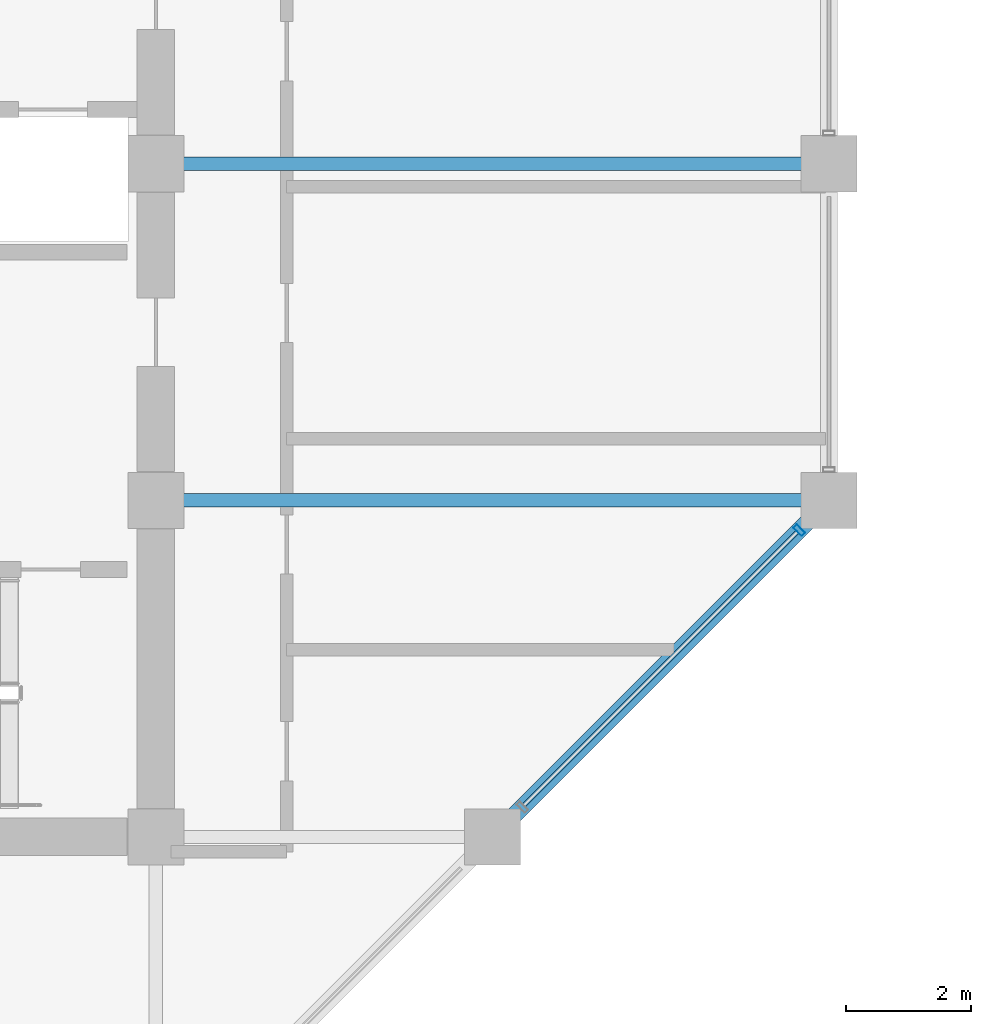
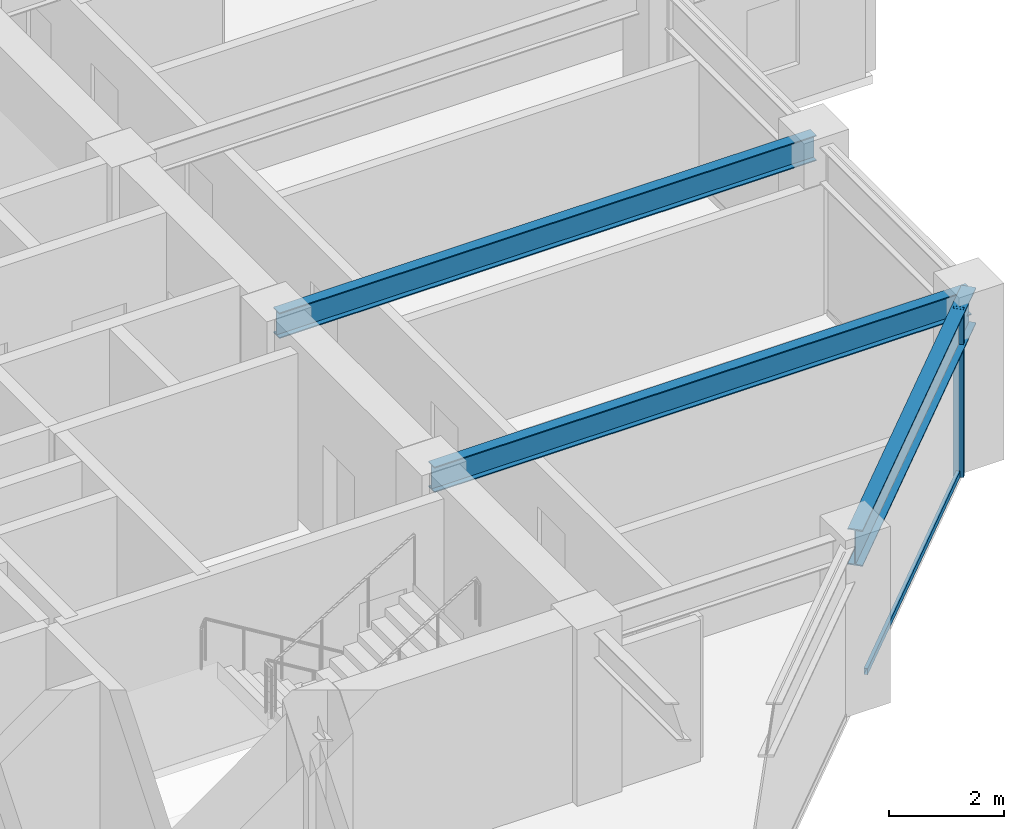
# One storey, part 10 of 28: 3 beams, 2 members, 1 element without a shape of its own.
"""IFC4 building model written with IfcOpenShell, lengths in metres."""

import ifcopenshell
import ifcopenshell.guid

model = None  # the IFC model being written
_history = None  # IfcOwnerHistory: only IFC2X3 demands one
_inside = {}  # id of a spatial element -> (the spatial element, [elements in it])
_under = {}  # id of a project, library or spatial element -> (it, [spatial elements below it])
_declared = {}  # id of a project -> (the project, [libraries it declares])
_typed = {}  # id of a type object -> (the type object, [elements of that type])
_made_of = {}  # id of a material, layer set ... -> (it, [elements and type objects made of it])


def new_model(schema):
    """Start an empty IFC model of exactly this schema.

    Asked for "IFC4X3", IfcOpenShell would pick the latest addendum, in which some entities
    have other attributes; the version numbers below select the first issue.
    IFC2X3 requires an IfcOwnerHistory on every rooted entity: one is made here for all.
    """
    global model, _history
    if schema == "IFC4X3":
        model = ifcopenshell.file(schema_version=(4, 3, 0, 0))
    else:
        model = ifcopenshell.file(schema=schema)
    _inside.clear()
    _under.clear()
    _declared.clear()
    _typed.clear()
    _made_of.clear()
    _history = None
    if model.schema == "IFC2X3":
        org = make("IfcOrganization", Name="unknown")
        user = make(
            "IfcPersonAndOrganization",
            ThePerson=make("IfcPerson", FamilyName="unknown"),
            TheOrganization=org,
        )
        app = make(
            "IfcApplication",
            ApplicationDeveloper=org,
            Version="unknown",
            ApplicationFullName="unknown",
            ApplicationIdentifier="unknown",
        )
        _history = make(
            "IfcOwnerHistory",
            OwningUser=user,
            OwningApplication=app,
            ChangeAction="ADDED",
            CreationDate=0,
        )
    return model


def make(cls, **values):
    """One entity of the class cls with the attributes given. An attribute that is None is left unset."""
    return model.create_entity(
        cls, **{name: value for name, value in values.items() if value is not None}
    )


def rooted(cls, **values):
    """An entity with a GlobalId (a new one), such as an element, a storey or a relation."""
    return make(cls, GlobalId=ifcopenshell.guid.new(), OwnerHistory=_history, **values)


def si_unit(unit_type, name, prefix=None):
    """IfcSIUnit, for example si_unit("LENGTHUNIT", "METRE", prefix="MILLI")."""
    return make("IfcSIUnit", UnitType=unit_type, Prefix=prefix, Name=name)


def assignment(units):
    """IfcUnitAssignment: the units of a project."""
    return None if units is None else make("IfcUnitAssignment", Units=units)


def point(xyz):
    """IfcCartesianPoint."""
    return None if xyz is None else make("IfcCartesianPoint", Coordinates=xyz)


def direction(xyz):
    """IfcDirection."""
    return None if xyz is None else make("IfcDirection", DirectionRatios=xyz)


def frame(location, z_axis=None, x_axis=None):
    """IfcAxis2Placement3D, a coordinate frame: its origin and axes. An axis left out is left unset."""
    return make(
        "IfcAxis2Placement3D",
        Location=point(location),
        Axis=direction(z_axis),
        RefDirection=direction(x_axis),
    )


def frame_2d(location, x_axis=None):
    """IfcAxis2Placement2D, a coordinate frame in the plane: its origin and x axis."""
    return make(
        "IfcAxis2Placement2D", Location=point(location), RefDirection=direction(x_axis)
    )


def origin():
    """The frame at (0, 0, 0) with its axes left unset."""
    return frame((0.0, 0.0, 0.0))


def origin_2d():
    """The frame at (0, 0) in the plane with its x axis left unset."""
    return frame_2d((0.0, 0.0))


def place(relative_to, where):
    """IfcLocalPlacement: puts the frame where relative to a parent placement (None: the world)."""
    return make(
        "IfcLocalPlacement", PlacementRelTo=relative_to, RelativePlacement=where
    )


def context(
    kind, dimensions, precision=None, world=None, true_north=None, identifier=None
):
    """IfcGeometricRepresentationContext, for example the 3D "Model" context."""
    return make(
        "IfcGeometricRepresentationContext",
        ContextIdentifier=identifier,
        ContextType=kind,
        CoordinateSpaceDimension=dimensions,
        Precision=precision,
        WorldCoordinateSystem=world,
        TrueNorth=true_north,
    )


def subcontext(parent, identifier, kind, view, scale=None):
    """IfcGeometricRepresentationSubContext, for example "Body" below "Model"."""
    return make(
        "IfcGeometricRepresentationSubContext",
        ContextIdentifier=identifier,
        ContextType=kind,
        ParentContext=parent,
        TargetScale=scale,
        TargetView=view,
    )


def project(units=None, contexts=None):
    """IfcProject with its units and contexts."""
    return rooted(
        "IfcProject",
        Name="project",
        RepresentationContexts=contexts,
        UnitsInContext=assignment(units),
    )


def spatial(cls, under=None, at=None, **own):
    """A site, building, storey or space (cls), placed at a placement, below another one or the project."""
    s = rooted(cls, ObjectPlacement=at, **own)
    if under is not None:
        _under.setdefault(under.id(), (under, []))[1].append(s)
    return s


def profile(cls, at=None, kind="AREA", **sizes):
    """A parametric profile (cls). Its sizes go by their IFC names, for example OverallWidth=200.0."""
    return make(cls, ProfileType=kind, Position=at, **sizes)


def hollow_rectangle(**sizes):
    """IfcRectangleHollowProfileDef."""
    return profile("IfcRectangleHollowProfileDef", **sizes)


def i_section(**sizes):
    """IfcIShapeProfileDef."""
    return profile("IfcIShapeProfileDef", **sizes)


def extrude(swept, where, along, depth):
    """IfcExtrudedAreaSolid: the profile swept, set in the frame where, extruded along a direction by depth."""
    return make(
        "IfcExtrudedAreaSolid",
        SweptArea=swept,
        Position=where,
        ExtrudedDirection=direction(along),
        Depth=depth,
    )


def shape(context_of_items, identifier, shape_type, items):
    """IfcShapeRepresentation: the items that make up one representation, for example the "Body"."""
    return make(
        "IfcShapeRepresentation",
        ContextOfItems=context_of_items,
        RepresentationIdentifier=identifier,
        RepresentationType=shape_type,
        Items=items,
    )


def material(Name=None, Category=None):
    """IfcMaterial."""
    return make("IfcMaterial", Name=Name, Category=Category)


def layer(
    of_material, thickness, ventilated=None, Name=None, Category=None, Priority=None
):
    """IfcMaterialLayer: one layer of a wall or slab, of a material (None: an air gap)."""
    return make(
        "IfcMaterialLayer",
        Material=of_material,
        LayerThickness=thickness,
        IsVentilated=ventilated,
        Name=Name,
        Category=Category,
        Priority=Priority,
    )


def layer_set(layers, Name=None):
    """IfcMaterialLayerSet."""
    return make("IfcMaterialLayerSet", MaterialLayers=layers, LayerSetName=Name)


def material_profile(
    of_material, cross_section, Name=None, Category=None, Priority=None
):
    """IfcMaterialProfile: a cross section and its material."""
    return make(
        "IfcMaterialProfile",
        Name=Name,
        Material=of_material,
        Profile=cross_section,
        Priority=Priority,
        Category=Category,
    )


def profile_set(profiles, Name=None, composite=None):
    """IfcMaterialProfileSet."""
    return make(
        "IfcMaterialProfileSet",
        Name=Name,
        MaterialProfiles=profiles,
        CompositeProfile=composite,
    )


def made_of(thing, what):
    """Note that an element or type object is made of a material, layer set ...; save() writes the relation."""
    if what is not None:
        _made_of.setdefault(what.id(), (what, []))[1].append(thing)
    return thing


def type_object(cls, material=None, **own):
    """A type object (cls), such as IfcWallType, which elements share."""
    return made_of(rooted(cls, **own), material)


def element(
    cls,
    number,
    at=None,
    inside=None,
    cuts=None,
    type_object=None,
    material=None,
    context=None,
    identifier="Body",
    shape_type=None,
    held_by="IfcProductDefinitionShape",
    body=None,
    shapes=None,
    **own,
):
    """One element of the class cls, such as IfcWall. Its Tag is "e" and its number.

    at: its placement. inside: the storey or other place that contains it. cuts: it is an
    opening in that element (IfcRelVoidsElement). A single representation is given by context,
    identifier, shape_type and body (its items); several are given by shapes. held_by: the class
    of the entity that holds the representations. save() writes the other relations.
    """
    e = rooted(cls, Tag="e%d" % number, ObjectPlacement=at, **own)
    if body is not None:
        shapes = [shape(context, identifier, shape_type, body)]
    if shapes is not None:
        e.Representation = make(held_by, Representations=shapes)
    if inside is not None:
        _inside.setdefault(inside.id(), (inside, []))[1].append(e)
    if cuts is not None:
        rooted(
            "IfcRelVoidsElement", RelatingBuildingElement=cuts, RelatedOpeningElement=e
        )
    if type_object is not None:
        _typed.setdefault(type_object.id(), (type_object, []))[1].append(e)
    return made_of(e, material)


def aggregate(whole, parts):
    """IfcRelAggregates: a whole, such as a stair, and the parts it consists of."""
    return rooted("IfcRelAggregates", RelatingObject=whole, RelatedObjects=parts)


def save(model, path):
    """Write the relations noted so far, then the file.

    IfcRelAggregates (storeys below a building ...), IfcRelContainedInSpatialStructure (elements
    in a storey), IfcRelDefinesByType, IfcRelAssociatesMaterial and IfcRelDeclares: one each for
    every whole, place, type object, material and project.
    """
    for whole, parts in _under.values():
        aggregate(whole, parts)
    for where, things in _inside.values():
        rooted(
            "IfcRelContainedInSpatialStructure",
            RelatedElements=things,
            RelatingStructure=where,
        )
    for kind, things in _typed.values():
        rooted("IfcRelDefinesByType", RelatedObjects=things, RelatingType=kind)
    for what, things in _made_of.values():
        rooted("IfcRelAssociatesMaterial", RelatedObjects=things, RelatingMaterial=what)
    for by, libraries in _declared.values():
        rooted("IfcRelDeclares", RelatingContext=by, RelatedDefinitions=libraries)
    model.write(path)


model = new_model("IFC4")

# Units and contexts
model_context = context("Model", 3, precision=1e-05, world=origin(), true_north=direction((0.0, 1.0)))
body_context = subcontext(model_context, "Body", "Model", "MODEL_VIEW")
ifc_project = project(units=[si_unit("LENGTHUNIT", "METRE"), si_unit("AREAUNIT", "SQUARE_METRE"), si_unit("VOLUMEUNIT", "CUBIC_METRE"), si_unit("PLANEANGLEUNIT", "RADIAN"), si_unit("MASSUNIT", "GRAM", prefix="KILO")], contexts=[model_context])

# Site, building, storey
site_placement = place(None, origin())
site = spatial("IfcSite", under=ifc_project, at=site_placement, CompositionType="ELEMENT")
building_placement = place(site_placement, origin())
building = spatial("IfcBuilding", under=site, at=building_placement, Name="Surkhivell Harbour Commons", CompositionType="ELEMENT")
storey_placement = place(building_placement, frame((0.0, 0.0, 174.75)))
storey = spatial("IfcBuildingStorey", under=building, at=storey_placement, Name="L45", CompositionType="ELEMENT", Elevation=174.75)

# Beams
ifc_material_1 = material(Name="Steel S355", Category="steel")
ifc_material_profile_1 = material_profile(ifc_material_1, i_section(OverallWidth=0.2119140625, OverallDepth=0.5439453125, WebThickness=0.0126953125, FlangeThickness=0.021240234375, at=origin_2d()), Name="UB533x210x122")
ifc_profile_set_1 = profile_set([ifc_material_profile_1], Name="Steel S355")
beam_type_1 = type_object("IfcBeamType", Name="BM-GRD-533A", PredefinedType="BEAM", material=ifc_profile_set_1)
for number, where, z_axis, x_axis, name in (
    (1, (10.800048828125, -5.39990234375, 3.298095703125), (1.0, 0.0, 0.0), (0.0, 1.0, 0.0), "L45 Floor Girder (10.8,-5.4)"),
    (2, (10.800048828125, 0.0, 3.298095703125), (1.0, 0.0, 0.0), (0.0, 1.0, 0.0), "L45 Floor Girder (10.8,0.0)"),
):
    element("IfcBeam", number, at=place(storey_placement, frame(where, z_axis=z_axis, x_axis=x_axis)), inside=storey, type_object=beam_type_1, Name=name, PredefinedType="BEAM", context=body_context, shape_type="SweptSolid", body=[
        extrude(i_section(OverallWidth=0.2119140625, OverallDepth=0.5439453125, WebThickness=0.0126953125, FlangeThickness=0.021240234375, at=origin_2d()), origin(), (0.0, 0.0, 1.0), 10.800048828125),
    ])
ifc_material_profile_2 = material_profile(ifc_material_1, i_section(OverallWidth=0.26806640625, OverallDepth=0.77001953125, WebThickness=0.015625, FlangeThickness=0.025390625, at=origin_2d()), Name="UB762x267x197")
ifc_profile_set_2 = profile_set([ifc_material_profile_2], Name="Steel S355")
beam_type_2 = type_object("IfcBeamType", Name="BM-SPN-762", PredefinedType="SPANDREL", material=ifc_profile_set_2)
beam_placement = place(storey_placement, frame((16.199951171875, -10.800048828125, 3.18505859375), z_axis=(0.707106781187, 0.707106781187, 0.0), x_axis=(-0.707106781187, 0.707106781187, 0.0)))
element("IfcBeam", 3, at=beam_placement, inside=storey, type_object=beam_type_2, Name="L45 Tube Spandrel (16.2,-10.8)", PredefinedType="SPANDREL", context=body_context, shape_type="SweptSolid", body=[
    extrude(i_section(OverallWidth=0.26806640625, OverallDepth=0.77001953125, WebThickness=0.015625, FlangeThickness=0.025390625, at=origin_2d()), origin(), (0.0, 0.0, 1.0), 7.636962890625),
])

# Curtain wall, members
ifc_material_2 = material(Name="Anodised pale-metal aluminium and insulated glazing", Category="aluminium")
ifc_layer = layer(ifc_material_2, 0.18994140625)
ifc_layer_set = layer_set([ifc_layer], Name="Anodised pale-metal aluminium and insulated glazing")
curtain_wall_type = type_object("IfcCurtainWallType", Name="CW-SYS-Z3", PredefinedType="NOTDEFINED", material=ifc_layer_set)
curtain_wall_placement = place(storey_placement, origin())
curtain_wall = element("IfcCurtainWall", 4, at=curtain_wall_placement, inside=storey, type_object=curtain_wall_type, Name="L45 Curtain Wall CW-L45-E01", PredefinedType="NOTDEFINED")
ifc_material_3 = material(Name="Anodised pale-metal aluminium alloy 6063-T6", Category="aluminium")
ifc_material_profile_3 = material_profile(ifc_material_3, hollow_rectangle(XDim=0.074951171875, YDim=0.18994140625, WallThickness=0.00390625, at=origin_2d()), Name="ALU-MULL-75x190")
ifc_profile_set_3 = profile_set([ifc_material_profile_3], Name="Anodised pale-metal aluminium alloy 6063-T6")
member_type_1 = type_object("IfcMemberType", Name="CWM-190", PredefinedType="MULLION", material=ifc_profile_set_3)
member_1_placement = place(storey_placement, frame((21.121826171875, -5.878173828125, 0.0), z_axis=(0.0, 0.0, 1.0), x_axis=(0.707106781187, 0.707106781187, 0.0)))
member_1 = element("IfcMember", 5, at=member_1_placement, type_object=member_type_1, Name="CW-Z3 mullion 4", PredefinedType="MULLION", context=body_context, shape_type="SweptSolid", body=[
    extrude(hollow_rectangle(XDim=0.074951171875, YDim=0.18994140625, WallThickness=0.00390625, at=origin_2d()), origin(), (0.0, 0.0, 1.0), 3.570068359375),
])
ifc_material_4 = material(Name="Champagne anodised aluminium alloy 6063-T6", Category="aluminium")
ifc_material_profile_4 = material_profile(ifc_material_4, hollow_rectangle(XDim=0.070068359375, YDim=0.1298828125, WallThickness=0.00341796875, at=origin_2d()), Name="ALU-TRAN-70x130")
ifc_profile_set_4 = profile_set([ifc_material_profile_4], Name="Champagne anodised aluminium alloy 6063-T6")
member_type_2 = type_object("IfcMemberType", Name="CWT-130", PredefinedType="USERDEFINED", material=ifc_profile_set_4)
member_2_placement = place(storey_placement, frame((16.70458984375, -10.29541015625, 0.06494140625), z_axis=(0.707106781187, 0.707106781187, 0.0), x_axis=(-0.707106781187, 0.707106781187, 0.0)))
member_2 = element("IfcMember", 6, at=member_2_placement, type_object=member_type_2, Name="CW-Z3 transom 3.1", ObjectType="TRANSOM", PredefinedType="USERDEFINED", context=body_context, shape_type="SweptSolid", body=[
    extrude(hollow_rectangle(XDim=0.070068359375, YDim=0.1298828125, WallThickness=0.00341796875, at=origin_2d()), origin(), (0.0, 0.0, 1.0), 6.209228515625),
])
aggregate(curtain_wall, [member_1, member_2])

save(model, "model.ifc")
